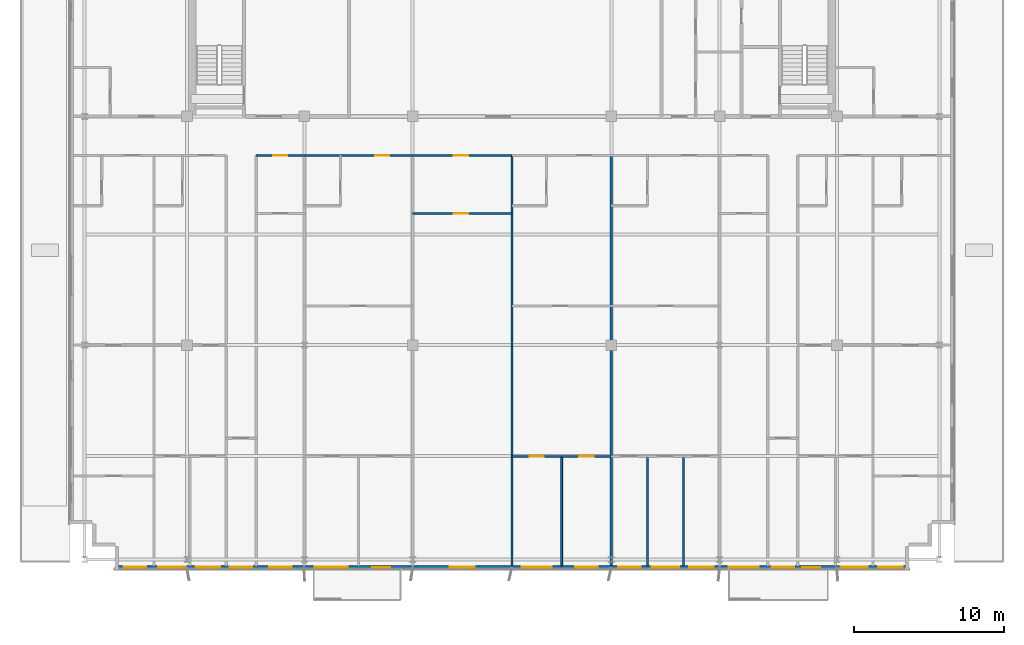
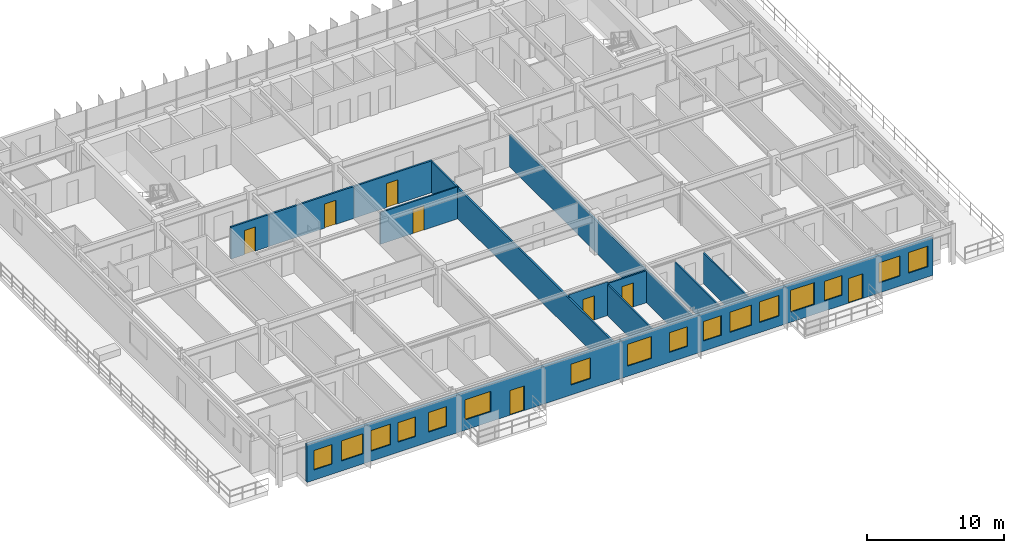
# One storey, part 15 of 22: 16 windows, 12 walls, 8 doors, 24 openings.
"""IFC4 building model written with IfcOpenShell, lengths in metres."""

from ifc_helpers import new_model, si_unit, direction, frame, frame_2d, origin, place, context, subcontext, project, spatial, rectangle, extrude, source, transform, mapped, material, layer, layer_set, type_object, element, fill, save


model = new_model("IFC4")

# Units and contexts
model_context = context("Model", 3, precision=1e-05, world=origin(), true_north=direction((0.0, 1.0)))
body_context = subcontext(model_context, "Body", "Model", "MODEL_VIEW")
ifc_project = project(units=[si_unit("LENGTHUNIT", "METRE"), si_unit("AREAUNIT", "SQUARE_METRE"), si_unit("VOLUMEUNIT", "CUBIC_METRE"), si_unit("PLANEANGLEUNIT", "RADIAN"), si_unit("MASSUNIT", "GRAM", prefix="KILO")], contexts=[model_context])

# Site, building, storey
site_placement = place(None, origin())
site = spatial("IfcSite", under=ifc_project, at=site_placement, CompositionType="ELEMENT")
building_placement = place(site_placement, origin())
building = spatial("IfcBuilding", under=site, at=building_placement, Name="Trelvane Seafront Commons", CompositionType="ELEMENT")
storey_placement = place(building_placement, frame((0.0, 0.0, 132.10009765625)))
storey = spatial("IfcBuildingStorey", under=building, at=storey_placement, Name="L34", CompositionType="ELEMENT", Elevation=132.10009765625)

# Wall, openings, doors, windows
ifc_material_1 = material(Name="Precast concrete C40/50", Category="concrete")
ifc_layer_1 = layer(ifc_material_1, 0.239990234375, Name="ARCH-WALL-EXT240")
ifc_layer_set_1 = layer_set([ifc_layer_1], Name="Precast concrete C40/50")
wall_type_1 = type_object("IfcWallType", Name="ARCH-WALL-EXT240", PredefinedType="SOLIDWALL", material=ifc_layer_set_1)
wall_1_placement = place(storey_placement, frame((63.60009765625, 3.419921875, 0.0), z_axis=(0.0, 0.0, 1.0), x_axis=(-1.0, 0.0, 0.0)))
wall_1 = element("IfcWall", 1, at=wall_1_placement, inside=storey, type_object=wall_type_1, Name="EW-L34-00672", PredefinedType="SOLIDWALL", context=body_context, shape_type="SweptSolid", body=[
    extrude(rectangle(XDim=52.800048828125, YDim=0.239990234375, at=frame_2d((26.39990234375, 0.0))), origin(), (0.0, 0.0, 1.0), 3.349853515625),
])
opening_1_placement = place(wall_1_placement, frame((0.419921875, 0.0, 0.89990234375)))
opening_1 = element("IfcOpeningElement", 2, at=opening_1_placement, cuts=wall_1, Name="Opening W07", PredefinedType="OPENING", context=body_context, shape_type="SweptSolid", body=[
    extrude(rectangle(XDim=1.64990234375, YDim=1.85009765625, at=frame_2d((0.824951171875, 0.925048828125))), frame((0.0, 0.1298828125, 0.0), z_axis=(0.0, -1.0, 0.0), x_axis=(1.0, 0.0, 0.0)), (0.0, 0.0, 1.0), 0.260009765625),
])
opening_2_placement = place(wall_1_placement, frame((2.75, 0.0, 0.89990234375)))
opening_2 = element("IfcOpeningElement", 3, at=opening_2_placement, cuts=wall_1, Name="Opening W01", PredefinedType="OPENING", context=body_context, shape_type="SweptSolid", body=[
    extrude(rectangle(XDim=1.800048828125, YDim=1.800048828125, at=frame_2d((0.89990234375, 0.89990234375))), frame((0.0, 0.1298828125, 0.0), z_axis=(0.0, -1.0, 0.0), x_axis=(1.0, 0.0, 0.0)), (0.0, 0.0, 1.0), 0.260009765625),
])
opening_3_placement = place(wall_1_placement, frame((5.902099609375, 0.0, 0.0)))
opening_3 = element("IfcOpeningElement", 4, at=opening_3_placement, cuts=wall_1, Name="Opening BD-L34-81", PredefinedType="OPENING", context=body_context, shape_type="SweptSolid", body=[
    extrude(rectangle(XDim=1.199951171875, YDim=2.199951171875, at=frame_2d((0.60009765625, 1.10009765625))), frame((0.0, 0.1298828125, 0.0), z_axis=(0.0, -1.0, 0.0), x_axis=(1.0, 0.0, 0.0)), (0.0, 0.0, 1.0), 0.260009765625),
])
opening_4_placement = place(wall_1_placement, frame((7.64990234375, 0.0, 0.89990234375)))
opening_4 = element("IfcOpeningElement", 5, at=opening_4_placement, cuts=wall_1, Name="Opening W03", PredefinedType="OPENING", context=body_context, shape_type="SweptSolid", body=[
    extrude(rectangle(XDim=1.5, YDim=1.75, at=frame_2d((0.75, 0.875))), frame((0.0, 0.1298828125, 0.0), z_axis=(0.0, -1.0, 0.0), x_axis=(1.0, 0.0, 0.0)), (0.0, 0.0, 1.0), 0.260009765625),
])
opening_5_placement = place(wall_1_placement, frame((10.0, 0.0, 0.89990234375)))
opening_5 = element("IfcOpeningElement", 6, at=opening_5_placement, cuts=wall_1, Name="Opening W06", PredefinedType="OPENING", context=body_context, shape_type="SweptSolid", body=[
    extrude(rectangle(XDim=2.0, YDim=1.949951171875, at=frame_2d((1.0, 0.97509765625))), frame((0.0, 0.1298828125, 0.0), z_axis=(0.0, -1.0, 0.0), x_axis=(1.0, 0.0, 0.0)), (0.0, 0.0, 1.0), 0.260009765625),
])
opening_6_placement = place(wall_1_placement, frame((12.97509765625, 0.0, 0.89990234375)))
opening_6 = element("IfcOpeningElement", 7, at=opening_6_placement, cuts=wall_1, Name="Opening W07", PredefinedType="OPENING", context=body_context, shape_type="SweptSolid", body=[
    extrude(rectangle(XDim=1.64990234375, YDim=1.85009765625, at=frame_2d((0.824951171875, 0.925048828125))), frame((0.0, 0.1298828125, 0.0), z_axis=(0.0, -1.0, 0.0), x_axis=(1.0, 0.0, 0.0)), (0.0, 0.0, 1.0), 0.260009765625),
])
opening_7_placement = place(wall_1_placement, frame((15.300048828125, 0.0, 0.89990234375)))
opening_7 = element("IfcOpeningElement", 8, at=opening_7_placement, cuts=wall_1, Name="Opening W01", PredefinedType="OPENING", context=body_context, shape_type="SweptSolid", body=[
    extrude(rectangle(XDim=1.800048828125, YDim=1.800048828125, at=frame_2d((0.89990234375, 0.89990234375))), frame((0.0, 0.1298828125, 0.0), z_axis=(0.0, -1.0, 0.0), x_axis=(1.0, 0.0, 0.0)), (0.0, 0.0, 1.0), 0.260009765625),
])
opening_8_placement = place(wall_1_placement, frame((17.85009765625, 0.0, 0.89990234375)))
opening_8 = element("IfcOpeningElement", 9, at=opening_8_placement, cuts=wall_1, Name="Opening W03", PredefinedType="OPENING", context=body_context, shape_type="SweptSolid", body=[
    extrude(rectangle(XDim=1.5, YDim=1.75, at=frame_2d((0.75, 0.875))), frame((0.0, 0.1298828125, 0.0), z_axis=(0.0, -1.0, 0.0), x_axis=(1.0, 0.0, 0.0)), (0.0, 0.0, 1.0), 0.260009765625),
])
opening_9_placement = place(wall_1_placement, frame((20.699951171875, 0.0, 0.89990234375)))
opening_9 = element("IfcOpeningElement", 10, at=opening_9_placement, cuts=wall_1, Name="Opening W03", PredefinedType="OPENING", context=body_context, shape_type="SweptSolid", body=[
    extrude(rectangle(XDim=1.5, YDim=1.75, at=frame_2d((0.75, 0.875))), frame((0.0, 0.1298828125, 0.0), z_axis=(0.0, -1.0, 0.0), x_axis=(1.0, 0.0, 0.0)), (0.0, 0.0, 1.0), 0.260009765625),
])
opening_10_placement = place(wall_1_placement, frame((23.75, 0.0, 0.89990234375)))
opening_10 = element("IfcOpeningElement", 11, at=opening_10_placement, cuts=wall_1, Name="Opening W06", PredefinedType="OPENING", context=body_context, shape_type="SweptSolid", body=[
    extrude(rectangle(XDim=2.0, YDim=1.949951171875, at=frame_2d((1.0, 0.97509765625))), frame((0.0, 0.1298828125, 0.0), z_axis=(0.0, -1.0, 0.0), x_axis=(1.0, 0.0, 0.0)), (0.0, 0.0, 1.0), 0.260009765625),
])
opening_11_placement = place(wall_1_placement, frame((28.875, 0.0, 0.89990234375)))
opening_11 = element("IfcOpeningElement", 12, at=opening_11_placement, cuts=wall_1, Name="Opening W07", PredefinedType="OPENING", context=body_context, shape_type="SweptSolid", body=[
    extrude(rectangle(XDim=1.64990234375, YDim=1.85009765625, at=frame_2d((0.824951171875, 0.925048828125))), frame((0.0, 0.1298828125, 0.0), z_axis=(0.0, -1.0, 0.0), x_axis=(1.0, 0.0, 0.0)), (0.0, 0.0, 1.0), 0.260009765625),
])
opening_12_placement = place(wall_1_placement, frame((34.47802734375, 0.0, 0.0)))
opening_12 = element("IfcOpeningElement", 13, at=opening_12_placement, cuts=wall_1, Name="Opening BD-L34-82", PredefinedType="OPENING", context=body_context, shape_type="SweptSolid", body=[
    extrude(rectangle(XDim=1.199951171875, YDim=2.199951171875, at=frame_2d((0.60009765625, 1.10009765625))), frame((0.0, 0.1298828125, 0.0), z_axis=(0.0, -1.0, 0.0), x_axis=(1.0, 0.0, 0.0)), (0.0, 0.0, 1.0), 0.260009765625),
])
opening_13_placement = place(wall_1_placement, frame((37.300048828125, 0.0, 0.89990234375)))
opening_13 = element("IfcOpeningElement", 14, at=opening_13_placement, cuts=wall_1, Name="Opening W02", PredefinedType="OPENING", context=body_context, shape_type="SweptSolid", body=[
    extrude(rectangle(XDim=2.199951171875, YDim=1.800048828125, at=frame_2d((1.10009765625, 0.89990234375))), frame((0.0, 0.1298828125, 0.0), z_axis=(0.0, -1.0, 0.0), x_axis=(1.0, 0.0, 0.0)), (0.0, 0.0, 1.0), 0.260009765625),
])
opening_14_placement = place(wall_1_placement, frame((41.050048828125, 0.0, 0.89990234375)))
opening_14 = element("IfcOpeningElement", 15, at=opening_14_placement, cuts=wall_1, Name="Opening W03", PredefinedType="OPENING", context=body_context, shape_type="SweptSolid", body=[
    extrude(rectangle(XDim=1.5, YDim=1.75, at=frame_2d((0.75, 0.875))), frame((0.0, 0.1298828125, 0.0), z_axis=(0.0, -1.0, 0.0), x_axis=(1.0, 0.0, 0.0)), (0.0, 0.0, 1.0), 0.260009765625),
])
opening_15_placement = place(wall_1_placement, frame((43.64990234375, 0.0, 0.89990234375)))
opening_15 = element("IfcOpeningElement", 16, at=opening_15_placement, cuts=wall_1, Name="Opening W03", PredefinedType="OPENING", context=body_context, shape_type="SweptSolid", body=[
    extrude(rectangle(XDim=1.5, YDim=1.75, at=frame_2d((0.75, 0.875))), frame((0.0, 0.1298828125, 0.0), z_axis=(0.0, -1.0, 0.0), x_axis=(1.0, 0.0, 0.0)), (0.0, 0.0, 1.0), 0.260009765625),
])
opening_16_placement = place(wall_1_placement, frame((45.77490234375, 0.0, 0.89990234375)))
opening_16 = element("IfcOpeningElement", 17, at=opening_16_placement, cuts=wall_1, Name="Opening W07", PredefinedType="OPENING", context=body_context, shape_type="SweptSolid", body=[
    extrude(rectangle(XDim=1.64990234375, YDim=1.85009765625, at=frame_2d((0.824951171875, 0.925048828125))), frame((0.0, 0.1298828125, 0.0), z_axis=(0.0, -1.0, 0.0), x_axis=(1.0, 0.0, 0.0)), (0.0, 0.0, 1.0), 0.260009765625),
])
opening_17_placement = place(wall_1_placement, frame((48.10009765625, 0.0, 0.89990234375)))
opening_17 = element("IfcOpeningElement", 18, at=opening_17_placement, cuts=wall_1, Name="Opening W01", PredefinedType="OPENING", context=body_context, shape_type="SweptSolid", body=[
    extrude(rectangle(XDim=1.800048828125, YDim=1.800048828125, at=frame_2d((0.89990234375, 0.89990234375))), frame((0.0, 0.1298828125, 0.0), z_axis=(0.0, -1.0, 0.0), x_axis=(1.0, 0.0, 0.0)), (0.0, 0.0, 1.0), 0.260009765625),
])
opening_18_placement = place(wall_1_placement, frame((50.705078125, 0.0, 0.89990234375)))
opening_18 = element("IfcOpeningElement", 19, at=opening_18_placement, cuts=wall_1, Name="Opening W03", PredefinedType="OPENING", context=body_context, shape_type="SweptSolid", body=[
    extrude(rectangle(XDim=1.5, YDim=1.75, at=frame_2d((0.75, 0.875))), frame((0.0, 0.1298828125, 0.0), z_axis=(0.0, -1.0, 0.0), x_axis=(1.0, 0.0, 0.0)), (0.0, 0.0, 1.0), 0.260009765625),
])
ifc_material_2 = material(Name="Powder-coated aluminium frame", Category="aluminium")
door_type_1 = type_object("IfcDoorType", Name="ARCH-DR-BAL1200", OperationType="NOTDEFINED", PredefinedType="DOOR", material=ifc_material_2)
shared_shape_1 = source(origin(), body_context, "Body", "SweptSolid", [
    extrude(rectangle(XDim=1.199951171875, YDim=2.199951171875, at=frame_2d((0.60009765625, 1.10009765625))), frame((0.0, 0.02490234375, 0.0), z_axis=(0.0, -1.0, 0.0), x_axis=(1.0, 0.0, 0.0)), (0.0, 0.0, 1.0), 0.050048828125),
])
door_1_placement = place(opening_3_placement, origin())
door_1 = element("IfcDoor", 20, at=door_1_placement, inside=storey, type_object=door_type_1, Name="L34 Balcony Terrace Access Door", OperationType="SINGLE_SWING_LEFT", OverallHeight=2.199951171875, OverallWidth=1.199951171875, PredefinedType="DOOR", context=body_context, shape_type="MappedRepresentation", body=[
    mapped(shared_shape_1, transform((0.0, 0.0, 0.0), x_axis=(1.0, 0.0, 0.0), y_axis=(0.0, 1.0, 0.0), z_axis=(0.0, 0.0, 1.0), scale=1.0)),
])
fill(opening_3, door_1)
door_2_placement = place(opening_12_placement, origin())
door_2 = element("IfcDoor", 21, at=door_2_placement, inside=storey, type_object=door_type_1, Name="L34 Balcony Terrace Access Door", OperationType="SINGLE_SWING_LEFT", OverallHeight=2.199951171875, OverallWidth=1.199951171875, PredefinedType="DOOR", context=body_context, shape_type="MappedRepresentation", body=[
    mapped(shared_shape_1, transform((0.0, 0.0, 0.0), x_axis=(1.0, 0.0, 0.0), y_axis=(0.0, 1.0, 0.0), z_axis=(0.0, 0.0, 1.0), scale=1.0)),
])
fill(opening_12, door_2)
ifc_material_3 = material(Name="Low-E coastal double glazing", Category="glass")
window_type_1 = type_object("IfcWindowType", Name="ARCH-WIN-W02", PartitioningType="SINGLE_PANEL", PredefinedType="WINDOW", material=ifc_material_3)
shared_shape_2 = source(origin(), body_context, "Body", "SweptSolid", [
    extrude(rectangle(XDim=2.199951171875, YDim=1.800048828125, at=frame_2d((1.10009765625, 0.89990234375))), frame((0.0, 0.030029296875, 0.0), z_axis=(0.0, -1.0, 0.0), x_axis=(1.0, 0.0, 0.0)), (0.0, 0.0, 1.0), 0.06005859375),
])
window_1_placement = place(opening_13_placement, origin())
window_1 = element("IfcWindow", 22, at=window_1_placement, inside=storey, type_object=window_type_1, Name="WIN-L34-00782", OverallHeight=1.800048828125, OverallWidth=2.199951171875, PartitioningType="SINGLE_PANEL", PredefinedType="WINDOW", context=body_context, shape_type="MappedRepresentation", body=[
    mapped(shared_shape_2, transform((0.0, 0.0, 0.0), x_axis=(1.0, 0.0, 0.0), y_axis=(0.0, 1.0, 0.0), z_axis=(0.0, 0.0, 1.0), scale=1.0)),
])
fill(opening_13, window_1)
window_type_2 = type_object("IfcWindowType", Name="ARCH-WIN-W03", PartitioningType="SINGLE_PANEL", PredefinedType="WINDOW", material=ifc_material_3)
shared_shape_3 = source(origin(), body_context, "Body", "SweptSolid", [
    extrude(rectangle(XDim=1.5, YDim=1.75, at=frame_2d((0.75, 0.875))), frame((0.0, 0.030029296875, 0.0), z_axis=(0.0, -1.0, 0.0), x_axis=(1.0, 0.0, 0.0)), (0.0, 0.0, 1.0), 0.06005859375),
])
window_2_placement = place(opening_4_placement, origin())
window_2 = element("IfcWindow", 23, at=window_2_placement, inside=storey, type_object=window_type_2, Name="WIN-L34-00774", OverallHeight=1.75, OverallWidth=1.5, PartitioningType="SINGLE_PANEL", PredefinedType="WINDOW", context=body_context, shape_type="MappedRepresentation", body=[
    mapped(shared_shape_3, transform((0.0, 0.0, 0.0), x_axis=(1.0, 0.0, 0.0), y_axis=(0.0, 1.0, 0.0), z_axis=(0.0, 0.0, 1.0), scale=1.0)),
])
fill(opening_4, window_2)
window_3_placement = place(opening_8_placement, origin())
window_3 = element("IfcWindow", 24, at=window_3_placement, inside=storey, type_object=window_type_2, Name="WIN-L34-00778", OverallHeight=1.75, OverallWidth=1.5, PartitioningType="SINGLE_PANEL", PredefinedType="WINDOW", context=body_context, shape_type="MappedRepresentation", body=[
    mapped(shared_shape_3, transform((0.0, 0.0, 0.0), x_axis=(1.0, 0.0, 0.0), y_axis=(0.0, 1.0, 0.0), z_axis=(0.0, 0.0, 1.0), scale=1.0)),
])
fill(opening_8, window_3)
window_4_placement = place(opening_9_placement, origin())
window_4 = element("IfcWindow", 25, at=window_4_placement, inside=storey, type_object=window_type_2, Name="WIN-L34-00779", OverallHeight=1.75, OverallWidth=1.5, PartitioningType="SINGLE_PANEL", PredefinedType="WINDOW", context=body_context, shape_type="MappedRepresentation", body=[
    mapped(shared_shape_3, transform((0.0, 0.0, 0.0), x_axis=(1.0, 0.0, 0.0), y_axis=(0.0, 1.0, 0.0), z_axis=(0.0, 0.0, 1.0), scale=1.0)),
])
fill(opening_9, window_4)
window_5_placement = place(opening_14_placement, origin())
window_5 = element("IfcWindow", 26, at=window_5_placement, inside=storey, type_object=window_type_2, Name="WIN-L34-00783", OverallHeight=1.75, OverallWidth=1.5, PartitioningType="SINGLE_PANEL", PredefinedType="WINDOW", context=body_context, shape_type="MappedRepresentation", body=[
    mapped(shared_shape_3, transform((0.0, 0.0, 0.0), x_axis=(1.0, 0.0, 0.0), y_axis=(0.0, 1.0, 0.0), z_axis=(0.0, 0.0, 1.0), scale=1.0)),
])
fill(opening_14, window_5)
window_6_placement = place(opening_15_placement, origin())
window_6 = element("IfcWindow", 27, at=window_6_placement, inside=storey, type_object=window_type_2, Name="WIN-L34-00784", OverallHeight=1.75, OverallWidth=1.5, PartitioningType="SINGLE_PANEL", PredefinedType="WINDOW", context=body_context, shape_type="MappedRepresentation", body=[
    mapped(shared_shape_3, transform((0.0, 0.0, 0.0), x_axis=(1.0, 0.0, 0.0), y_axis=(0.0, 1.0, 0.0), z_axis=(0.0, 0.0, 1.0), scale=1.0)),
])
fill(opening_15, window_6)
window_7_placement = place(opening_18_placement, origin())
window_7 = element("IfcWindow", 28, at=window_7_placement, inside=storey, type_object=window_type_2, Name="WIN-L34-00787", OverallHeight=1.75, OverallWidth=1.5, PartitioningType="SINGLE_PANEL", PredefinedType="WINDOW", context=body_context, shape_type="MappedRepresentation", body=[
    mapped(shared_shape_3, transform((0.0, 0.0, 0.0), x_axis=(1.0, 0.0, 0.0), y_axis=(0.0, 1.0, 0.0), z_axis=(0.0, 0.0, 1.0), scale=1.0)),
])
fill(opening_18, window_7)
window_type_3 = type_object("IfcWindowType", Name="ARCH-WIN-W06", PartitioningType="SINGLE_PANEL", PredefinedType="WINDOW", material=ifc_material_3)
shared_shape_4 = source(origin(), body_context, "Body", "SweptSolid", [
    extrude(rectangle(XDim=2.0, YDim=1.949951171875, at=frame_2d((1.0, 0.97509765625))), frame((0.0, 0.030029296875, 0.0), z_axis=(0.0, -1.0, 0.0), x_axis=(1.0, 0.0, 0.0)), (0.0, 0.0, 1.0), 0.06005859375),
])
window_8_placement = place(opening_5_placement, origin())
window_8 = element("IfcWindow", 29, at=window_8_placement, inside=storey, type_object=window_type_3, Name="WIN-L34-00775", OverallHeight=1.949951171875, OverallWidth=2.0, PartitioningType="SINGLE_PANEL", PredefinedType="WINDOW", context=body_context, shape_type="MappedRepresentation", body=[
    mapped(shared_shape_4, transform((0.0, 0.0, 0.0), x_axis=(1.0, 0.0, 0.0), y_axis=(0.0, 1.0, 0.0), z_axis=(0.0, 0.0, 1.0), scale=1.0)),
])
fill(opening_5, window_8)
window_9_placement = place(opening_10_placement, origin())
window_9 = element("IfcWindow", 30, at=window_9_placement, inside=storey, type_object=window_type_3, Name="WIN-L34-00780", OverallHeight=1.949951171875, OverallWidth=2.0, PartitioningType="SINGLE_PANEL", PredefinedType="WINDOW", context=body_context, shape_type="MappedRepresentation", body=[
    mapped(shared_shape_4, transform((0.0, 0.0, 0.0), x_axis=(1.0, 0.0, 0.0), y_axis=(0.0, 1.0, 0.0), z_axis=(0.0, 0.0, 1.0), scale=1.0)),
])
fill(opening_10, window_9)
window_type_4 = type_object("IfcWindowType", Name="ARCH-WIN-W01", PartitioningType="SINGLE_PANEL", PredefinedType="WINDOW", material=ifc_material_3)
shared_shape_5 = source(origin(), body_context, "Body", "SweptSolid", [
    extrude(rectangle(XDim=1.800048828125, YDim=1.800048828125, at=frame_2d((0.89990234375, 0.89990234375))), frame((0.0, 0.030029296875, 0.0), z_axis=(0.0, -1.0, 0.0), x_axis=(1.0, 0.0, 0.0)), (0.0, 0.0, 1.0), 0.06005859375),
])
window_10_placement = place(opening_2_placement, origin())
window_10 = element("IfcWindow", 31, at=window_10_placement, inside=storey, type_object=window_type_4, Name="WIN-L34-00773", OverallHeight=1.800048828125, OverallWidth=1.800048828125, PartitioningType="SINGLE_PANEL", PredefinedType="WINDOW", context=body_context, shape_type="MappedRepresentation", body=[
    mapped(shared_shape_5, transform((0.0, 0.0, 0.0), x_axis=(1.0, 0.0, 0.0), y_axis=(0.0, 1.0, 0.0), z_axis=(0.0, 0.0, 1.0), scale=1.0)),
])
fill(opening_2, window_10)
window_11_placement = place(opening_7_placement, origin())
window_11 = element("IfcWindow", 32, at=window_11_placement, inside=storey, type_object=window_type_4, Name="WIN-L34-00777", OverallHeight=1.800048828125, OverallWidth=1.800048828125, PartitioningType="SINGLE_PANEL", PredefinedType="WINDOW", context=body_context, shape_type="MappedRepresentation", body=[
    mapped(shared_shape_5, transform((0.0, 0.0, 0.0), x_axis=(1.0, 0.0, 0.0), y_axis=(0.0, 1.0, 0.0), z_axis=(0.0, 0.0, 1.0), scale=1.0)),
])
fill(opening_7, window_11)
window_12_placement = place(opening_17_placement, origin())
window_12 = element("IfcWindow", 33, at=window_12_placement, inside=storey, type_object=window_type_4, Name="WIN-L34-00786", OverallHeight=1.800048828125, OverallWidth=1.800048828125, PartitioningType="SINGLE_PANEL", PredefinedType="WINDOW", context=body_context, shape_type="MappedRepresentation", body=[
    mapped(shared_shape_5, transform((0.0, 0.0, 0.0), x_axis=(1.0, 0.0, 0.0), y_axis=(0.0, 1.0, 0.0), z_axis=(0.0, 0.0, 1.0), scale=1.0)),
])
fill(opening_17, window_12)
window_type_5 = type_object("IfcWindowType", Name="ARCH-WIN-W07", PartitioningType="SINGLE_PANEL", PredefinedType="WINDOW", material=ifc_material_3)
shared_shape_6 = source(origin(), body_context, "Body", "SweptSolid", [
    extrude(rectangle(XDim=1.64990234375, YDim=1.85009765625, at=frame_2d((0.824951171875, 0.925048828125))), frame((0.0, 0.030029296875, 0.0), z_axis=(0.0, -1.0, 0.0), x_axis=(1.0, 0.0, 0.0)), (0.0, 0.0, 1.0), 0.06005859375),
])
window_13_placement = place(opening_1_placement, origin())
window_13 = element("IfcWindow", 34, at=window_13_placement, inside=storey, type_object=window_type_5, Name="WIN-L34-00772", OverallHeight=1.85009765625, OverallWidth=1.64990234375, PartitioningType="SINGLE_PANEL", PredefinedType="WINDOW", context=body_context, shape_type="MappedRepresentation", body=[
    mapped(shared_shape_6, transform((0.0, 0.0, 0.0), x_axis=(1.0, 0.0, 0.0), y_axis=(0.0, 1.0, 0.0), z_axis=(0.0, 0.0, 1.0), scale=1.0)),
])
fill(opening_1, window_13)
window_14_placement = place(opening_6_placement, origin())
window_14 = element("IfcWindow", 35, at=window_14_placement, inside=storey, type_object=window_type_5, Name="WIN-L34-00776", OverallHeight=1.85009765625, OverallWidth=1.64990234375, PartitioningType="SINGLE_PANEL", PredefinedType="WINDOW", context=body_context, shape_type="MappedRepresentation", body=[
    mapped(shared_shape_6, transform((0.0, 0.0, 0.0), x_axis=(1.0, 0.0, 0.0), y_axis=(0.0, 1.0, 0.0), z_axis=(0.0, 0.0, 1.0), scale=1.0)),
])
fill(opening_6, window_14)
window_15_placement = place(opening_11_placement, origin())
window_15 = element("IfcWindow", 36, at=window_15_placement, inside=storey, type_object=window_type_5, Name="WIN-L34-00781", OverallHeight=1.85009765625, OverallWidth=1.64990234375, PartitioningType="SINGLE_PANEL", PredefinedType="WINDOW", context=body_context, shape_type="MappedRepresentation", body=[
    mapped(shared_shape_6, transform((0.0, 0.0, 0.0), x_axis=(1.0, 0.0, 0.0), y_axis=(0.0, 1.0, 0.0), z_axis=(0.0, 0.0, 1.0), scale=1.0)),
])
fill(opening_11, window_15)
window_16_placement = place(opening_16_placement, origin())
window_16 = element("IfcWindow", 37, at=window_16_placement, inside=storey, type_object=window_type_5, Name="WIN-L34-00785", OverallHeight=1.85009765625, OverallWidth=1.64990234375, PartitioningType="SINGLE_PANEL", PredefinedType="WINDOW", context=body_context, shape_type="MappedRepresentation", body=[
    mapped(shared_shape_6, transform((0.0, 0.0, 0.0), x_axis=(1.0, 0.0, 0.0), y_axis=(0.0, 1.0, 0.0), z_axis=(0.0, 0.0, 1.0), scale=1.0)),
])
fill(opening_16, window_16)

# Wall, opening, door
ifc_material_4 = material(Name="Gypsum Drywall Acoustic Partition")
ifc_layer_2 = layer(ifc_material_4, 0.1201171875, Name="ARCH-WALL-PART120")
ifc_layer_set_2 = layer_set([ifc_layer_2], Name="Gypsum Drywall Acoustic Partition")
wall_type_2 = type_object("IfcWallType", Name="ARCH-WALL-PART120", PredefinedType="PARTITIONING", material=ifc_layer_set_2)
wall_2_placement = place(storey_placement, frame((30.60009765625, 26.949951171875, 0.0), z_axis=(0.0, 0.0, 1.0), x_axis=(1.0, 0.0, 0.0)))
wall_2 = element("IfcWall", 38, at=wall_2_placement, inside=storey, type_object=wall_type_2, Name="W-L34-U6-DIV-085", PredefinedType="PARTITIONING", context=body_context, shape_type="SweptSolid", body=[
    extrude(rectangle(XDim=6.599853515625, YDim=0.1201171875, at=frame_2d((3.2998046875, 0.0))), origin(), (0.0, 0.0, 1.0), 2.849853515625),
])
opening_19_placement = place(wall_2_placement, frame((2.73388671875, 0.0, 0.0)))
opening_19 = element("IfcOpeningElement", 39, at=opening_19_placement, cuts=wall_2, Name="Opening D-L34-47", PredefinedType="OPENING", context=body_context, shape_type="SweptSolid", body=[
    extrude(rectangle(XDim=0.949951171875, YDim=2.14990234375, at=frame_2d((0.47509765625, 1.074951171875))), frame((0.0, 0.070068359375, 0.0), z_axis=(0.0, -1.0, 0.0), x_axis=(1.0, 0.0, 0.0)), (0.0, 0.0, 1.0), 0.14013671875),
])
ifc_material_5 = material(Name="Acoustic timber door leaf", Category="wood")
door_type_2 = type_object("IfcDoorType", Name="ARCH-DR-INT950", OperationType="NOTDEFINED", PredefinedType="DOOR", material=ifc_material_5)
shared_shape_7 = source(origin(), body_context, "Body", "SweptSolid", [
    extrude(rectangle(XDim=0.949951171875, YDim=2.14990234375, at=frame_2d((0.47509765625, 1.074951171875))), frame((0.0, 0.02490234375, 0.0), z_axis=(0.0, -1.0, 0.0), x_axis=(1.0, 0.0, 0.0)), (0.0, 0.0, 1.0), 0.050048828125),
])
door_3_placement = place(opening_19_placement, origin())
door_3 = element("IfcDoor", 40, at=door_3_placement, inside=storey, type_object=door_type_2, Name="L34 Door 47", OperationType="SINGLE_SWING_LEFT", OverallHeight=2.14990234375, OverallWidth=0.949951171875, PredefinedType="DOOR", context=body_context, shape_type="MappedRepresentation", body=[
    mapped(shared_shape_7, transform((0.0, 0.0, 0.0), x_axis=(1.0, 0.0, 0.0), y_axis=(0.0, 1.0, 0.0), z_axis=(0.0, 0.0, 1.0), scale=1.0)),
])
fill(opening_19, door_3)

wall_3_placement = place(storey_placement, frame((37.199951171875, 10.800048828125, 0.0), z_axis=(0.0, 0.0, 1.0), x_axis=(1.0, 0.0, 0.0)))
wall_3 = element("IfcWall", 41, at=wall_3_placement, inside=storey, type_object=wall_type_2, Name="W-L34-U7-YM-1-090", PredefinedType="PARTITIONING", context=body_context, shape_type="SweptSolid", body=[
    extrude(rectangle(XDim=3.300048828125, YDim=0.1201171875, at=frame_2d((1.64990234375, 0.0))), origin(), (0.0, 0.0, 1.0), 3.0),
])
opening_20_placement = place(wall_3_placement, frame((1.175048828125, 0.0, 0.0)))
opening_20 = element("IfcOpeningElement", 42, at=opening_20_placement, cuts=wall_3, Name="Opening D-L34-51", PredefinedType="OPENING", context=body_context, shape_type="SweptSolid", body=[
    extrude(rectangle(XDim=0.949951171875, YDim=2.14990234375, at=frame_2d((0.47509765625, 1.074951171875))), frame((0.0, 0.070068359375, 0.0), z_axis=(0.0, -1.0, 0.0), x_axis=(1.0, 0.0, 0.0)), (0.0, 0.0, 1.0), 0.14013671875),
])
door_4_placement = place(opening_20_placement, origin())
door_4 = element("IfcDoor", 43, at=door_4_placement, inside=storey, type_object=door_type_2, Name="L34 Door 51", OperationType="SINGLE_SWING_LEFT", OverallHeight=2.14990234375, OverallWidth=0.949951171875, PredefinedType="DOOR", context=body_context, shape_type="MappedRepresentation", body=[
    mapped(shared_shape_7, transform((0.0, 0.0, 0.0), x_axis=(1.0, 0.0, 0.0), y_axis=(0.0, 1.0, 0.0), z_axis=(0.0, 0.0, 1.0), scale=1.0)),
])
fill(opening_20, door_4)

wall_4_placement = place(storey_placement, frame((40.5, 10.800048828125, 0.0), z_axis=(0.0, 0.0, 1.0), x_axis=(1.0, 0.0, 0.0)))
wall_4 = element("IfcWall", 44, at=wall_4_placement, inside=storey, type_object=wall_type_2, Name="W-L34-U7-YM-2-091", PredefinedType="PARTITIONING", context=body_context, shape_type="SweptSolid", body=[
    extrude(rectangle(XDim=3.300048828125, YDim=0.1201171875, at=frame_2d((1.64990234375, 0.0))), origin(), (0.0, 0.0, 1.0), 2.849853515625),
])
opening_21_placement = place(wall_4_placement, frame((1.175048828125, 0.0, 0.0)))
opening_21 = element("IfcOpeningElement", 45, at=opening_21_placement, cuts=wall_4, Name="Opening D-L34-52", PredefinedType="OPENING", context=body_context, shape_type="SweptSolid", body=[
    extrude(rectangle(XDim=0.949951171875, YDim=2.14990234375, at=frame_2d((0.47509765625, 1.074951171875))), frame((0.0, 0.070068359375, 0.0), z_axis=(0.0, -1.0, 0.0), x_axis=(1.0, 0.0, 0.0)), (0.0, 0.0, 1.0), 0.14013671875),
])
door_5_placement = place(opening_21_placement, origin())
door_5 = element("IfcDoor", 46, at=door_5_placement, inside=storey, type_object=door_type_2, Name="L34 Door 52", OperationType="SINGLE_SWING_RIGHT", OverallHeight=2.14990234375, OverallWidth=0.949951171875, PredefinedType="DOOR", context=body_context, shape_type="MappedRepresentation", body=[
    mapped(shared_shape_7, transform((0.0, 0.0, 0.0), x_axis=(1.0, 0.0, 0.0), y_axis=(0.0, 1.0, 0.0), z_axis=(0.0, 0.0, 1.0), scale=1.0)),
])
fill(opening_21, door_5)

# Walls
for number, where, z_axis, x_axis, name in (
    (47, (40.5, 3.52490234375, 0.0), (0.0, 0.0, 1.0), (0.0, 1.0, 0.0), "W-L34-U7-BDV-1-092"),
    (48, (46.199951171875, 3.52490234375, 0.0), (0.0, 0.0, 1.0), (0.0, 1.0, 0.0), "W-L34-U8-BDV-1-099"),
    (49, (48.60009765625, 3.52490234375, 0.0), (0.0, 0.0, 1.0), (0.0, 1.0, 0.0), "W-L34-U8-BDV-2-101"),
):
    element("IfcWall", number, at=place(storey_placement, frame(where, z_axis=z_axis, x_axis=x_axis)), inside=storey, type_object=wall_type_2, Name=name, PredefinedType="PARTITIONING", context=body_context, shape_type="SweptSolid", body=[
        extrude(rectangle(XDim=7.275146484375, YDim=0.1201171875, at=frame_2d((3.6376953125, 0.0))), origin(), (0.0, 0.0, 1.0), 2.75),
    ])
ifc_layer_3 = layer(ifc_material_4, 0.14990234375, Name="ARCH-WALL-PART150")
ifc_layer_set_3 = layer_set([ifc_layer_3], Name="Gypsum Drywall Acoustic Partition")
wall_type_3 = type_object("IfcWallType", Name="ARCH-WALL-PART150", PredefinedType="PARTITIONING", material=ifc_layer_set_3)
wall_5_placement = place(storey_placement, frame((37.199951171875, 3.52490234375, 0.0), z_axis=(0.0, 0.0, 1.0), x_axis=(0.0, 1.0, 0.0)))
element("IfcWall", 50, at=wall_5_placement, inside=storey, type_object=wall_type_3, Name="W-L34-PW-6-056", PredefinedType="PARTITIONING", context=body_context, shape_type="SweptSolid", body=[
    extrude(rectangle(XDim=27.275146484375, YDim=0.14990234375, at=frame_2d((13.6376953125, 0.0))), origin(), (0.0, 0.0, 1.0), 2.75),
])
wall_6_placement = place(storey_placement, frame((43.800048828125, 3.52490234375, 0.0), z_axis=(0.0, 0.0, 1.0), x_axis=(0.0, 1.0, 0.0)))
element("IfcWall", 51, at=wall_6_placement, inside=storey, type_object=wall_type_3, Name="W-L34-PW-7-057", PredefinedType="PARTITIONING", context=body_context, shape_type="SweptSolid", body=[
    extrude(rectangle(XDim=27.275146484375, YDim=0.14990234375, at=frame_2d((13.6376953125, 0.0))), origin(), (0.0, 0.0, 1.0), 2.849853515625),
])

# Wall, opening, door
wall_7_placement = place(storey_placement, frame((20.199951171875, 30.800048828125, 0.0), z_axis=(0.0, 0.0, 1.0), x_axis=(1.0, 0.0, 0.0)))
wall_7 = element("IfcWall", 52, at=wall_7_placement, inside=storey, type_object=wall_type_3, Name="W-L34-CS-BAY-4-075", PredefinedType="PARTITIONING", context=body_context, shape_type="SweptSolid", body=[
    extrude(rectangle(XDim=3.199951171875, YDim=0.14990234375, at=frame_2d((1.60009765625, 0.0))), origin(), (0.0, 0.0, 1.0), 2.849853515625),
])
opening_22_placement = place(wall_7_placement, frame((1.125, 0.0, 0.0)))
opening_22 = element("IfcOpeningElement", 53, at=opening_22_placement, cuts=wall_7, Name="Opening FD-L34-39", PredefinedType="OPENING", context=body_context, shape_type="SweptSolid", body=[
    extrude(rectangle(XDim=0.949951171875, YDim=2.14990234375, at=frame_2d((0.47509765625, 1.074951171875))), frame((0.0, 0.0849609375, 0.0), z_axis=(0.0, -1.0, 0.0), x_axis=(1.0, 0.0, 0.0)), (0.0, 0.0, 1.0), 0.169921875),
])
door_type_3 = type_object("IfcDoorType", Name="ARCH-DR-FD60-950", OperationType="NOTDEFINED", PredefinedType="DOOR", material=ifc_material_2)
door_6_placement = place(opening_22_placement, origin())
door_6 = element("IfcDoor", 54, at=door_6_placement, inside=storey, type_object=door_type_3, Name="L34 Bay 04 Entrance Door", OperationType="SINGLE_SWING_LEFT", OverallHeight=2.14990234375, OverallWidth=0.949951171875, PredefinedType="DOOR", context=body_context, shape_type="MappedRepresentation", body=[
    mapped(shared_shape_7, transform((0.0, 0.0, 0.0), x_axis=(1.0, 0.0, 0.0), y_axis=(0.0, 1.0, 0.0), z_axis=(0.0, 0.0, 1.0), scale=1.0)),
])
fill(opening_22, door_6)

wall_8_placement = place(storey_placement, frame((23.39990234375, 30.800048828125, 0.0), z_axis=(0.0, 0.0, 1.0), x_axis=(1.0, 0.0, 0.0)))
wall_8 = element("IfcWall", 55, at=wall_8_placement, inside=storey, type_object=wall_type_3, Name="W-L34-CS-BAY-5-080", PredefinedType="PARTITIONING", context=body_context, shape_type="SweptSolid", body=[
    extrude(rectangle(XDim=7.2001953125, YDim=0.14990234375, at=frame_2d((3.60009765625, 0.0))), origin(), (0.0, 0.0, 1.0), 2.849853515625),
])
opening_23_placement = place(wall_8_placement, frame((4.7060546875, 0.0, 0.0)))
opening_23 = element("IfcOpeningElement", 56, at=opening_23_placement, cuts=wall_8, Name="Opening FD-L34-43", PredefinedType="OPENING", context=body_context, shape_type="SweptSolid", body=[
    extrude(rectangle(XDim=0.949951171875, YDim=2.14990234375, at=frame_2d((0.47509765625, 1.074951171875))), frame((0.0, 0.0849609375, 0.0), z_axis=(0.0, -1.0, 0.0), x_axis=(1.0, 0.0, 0.0)), (0.0, 0.0, 1.0), 0.169921875),
])
door_7_placement = place(opening_23_placement, origin())
door_7 = element("IfcDoor", 57, at=door_7_placement, inside=storey, type_object=door_type_3, Name="L34 Unit 05 Entrance Door", OperationType="SINGLE_SWING_LEFT", OverallHeight=2.14990234375, OverallWidth=0.949951171875, PredefinedType="DOOR", context=body_context, shape_type="MappedRepresentation", body=[
    mapped(shared_shape_7, transform((0.0, 0.0, 0.0), x_axis=(1.0, 0.0, 0.0), y_axis=(0.0, 1.0, 0.0), z_axis=(0.0, 0.0, 1.0), scale=1.0)),
])
fill(opening_23, door_7)

wall_9_placement = place(storey_placement, frame((30.60009765625, 30.800048828125, 0.0), z_axis=(0.0, 0.0, 1.0), x_axis=(1.0, 0.0, 0.0)))
wall_9 = element("IfcWall", 58, at=wall_9_placement, inside=storey, type_object=wall_type_3, Name="W-L34-CS-BAY-6-084", PredefinedType="PARTITIONING", context=body_context, shape_type="SweptSolid", body=[
    extrude(rectangle(XDim=6.599853515625, YDim=0.14990234375, at=frame_2d((3.2998046875, 0.0))), origin(), (0.0, 0.0, 1.0), 2.849853515625),
])
opening_24_placement = place(wall_9_placement, frame((2.73388671875, 0.0, 0.0)))
opening_24 = element("IfcOpeningElement", 59, at=opening_24_placement, cuts=wall_9, Name="Opening FD-L34-46", PredefinedType="OPENING", context=body_context, shape_type="SweptSolid", body=[
    extrude(rectangle(XDim=0.949951171875, YDim=2.14990234375, at=frame_2d((0.47509765625, 1.074951171875))), frame((0.0, 0.0849609375, 0.0), z_axis=(0.0, -1.0, 0.0), x_axis=(1.0, 0.0, 0.0)), (0.0, 0.0, 1.0), 0.169921875),
])
door_8_placement = place(opening_24_placement, origin())
door_8 = element("IfcDoor", 60, at=door_8_placement, inside=storey, type_object=door_type_3, Name="L34 Bay 06 Entrance Door", OperationType="SINGLE_SWING_RIGHT", OverallHeight=2.14990234375, OverallWidth=0.949951171875, PredefinedType="DOOR", context=body_context, shape_type="MappedRepresentation", body=[
    mapped(shared_shape_7, transform((0.0, 0.0, 0.0), x_axis=(1.0, 0.0, 0.0), y_axis=(0.0, 1.0, 0.0), z_axis=(0.0, 0.0, 1.0), scale=1.0)),
])
fill(opening_24, door_8)

save(model, "model.ifc")
